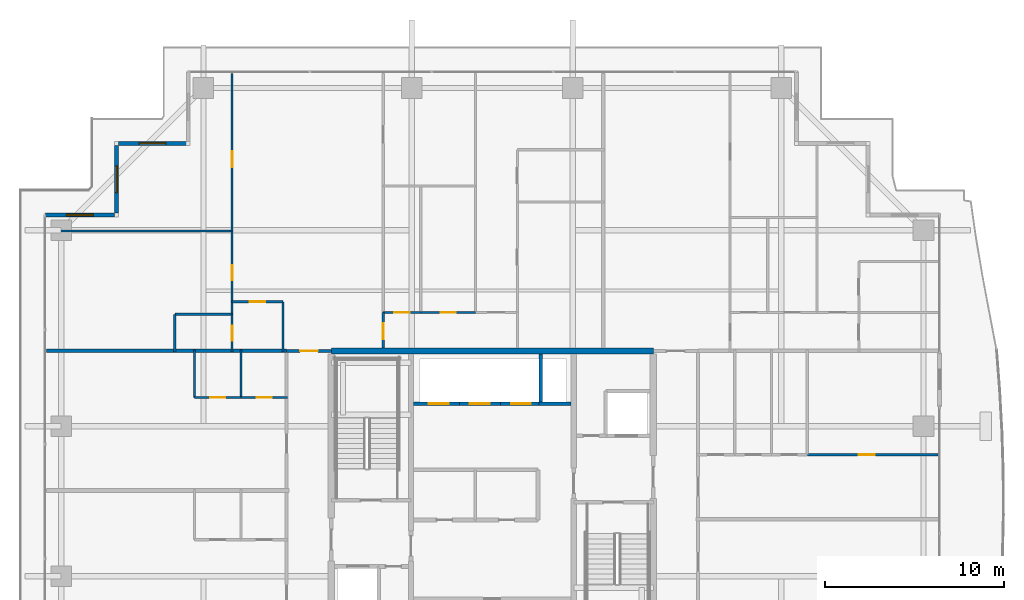
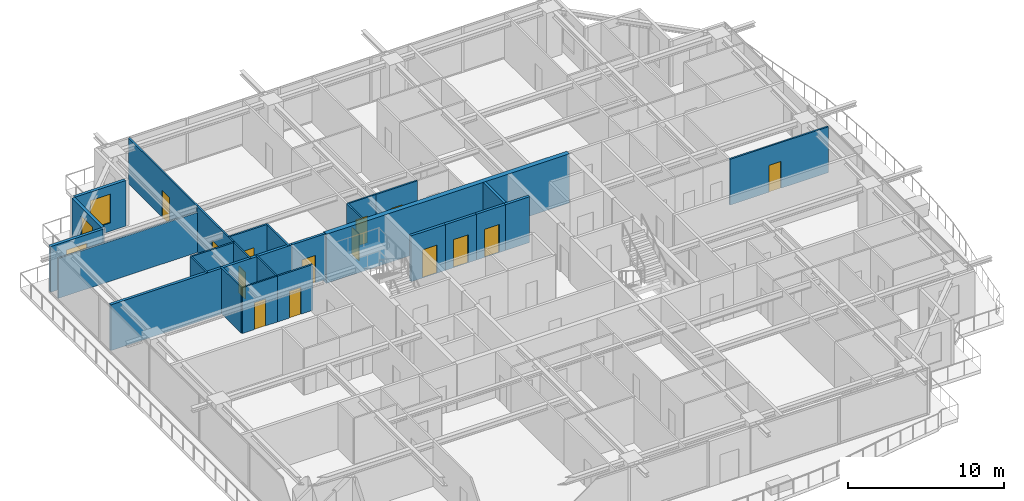
# One storey, part 29 of 38: 27 walls, 14 doors, 3 windows, 17 openings.
"""IFC4 building model written with IfcOpenShell, lengths in metres."""

from ifc_helpers import new_model, si_unit, direction, frame, frame_2d, origin, place, context, subcontext, project, spatial, rectangle, extrude, source, transform, mapped, material, layer, layer_set, type_object, element, fill, save


model = new_model("IFC4")

# Units and contexts
model_context = context("Model", 3, precision=1e-05, world=origin(), true_north=direction((0.0, 1.0)))
body_context = subcontext(model_context, "Body", "Model", "MODEL_VIEW")
ifc_project = project(units=[si_unit("LENGTHUNIT", "METRE"), si_unit("AREAUNIT", "SQUARE_METRE"), si_unit("VOLUMEUNIT", "CUBIC_METRE"), si_unit("PLANEANGLEUNIT", "RADIAN"), si_unit("MASSUNIT", "GRAM", prefix="KILO")], contexts=[model_context])

# Site, building, storey
site_placement = place(None, origin())
site = spatial("IfcSite", under=ifc_project, at=site_placement, CompositionType="ELEMENT")
building_placement = place(site_placement, origin())
building = spatial("IfcBuilding", under=site, at=building_placement, Name="Serunith Strait Residences", CompositionType="ELEMENT")
storey_placement = place(building_placement, frame((0.0, 0.0, 245.10009765625)))
storey = spatial("IfcBuildingStorey", under=building, at=storey_placement, Name="L61", CompositionType="ELEMENT", Elevation=245.10009765625)

# Wall, opening, window
ifc_material_1 = material(Name="Pale-Champagne Aluminium Insulated Panel", Category="aluminium")
ifc_layer_1 = layer(ifc_material_1, 0.219970703125, Name="Pale-Champagne Aluminium Insulated Panel")
ifc_layer_set_1 = layer_set([ifc_layer_1], Name="Pale-Champagne Aluminium Insulated Panel")
wall_type_1 = type_object("IfcWallType", Name="EW-ALUM-220", PredefinedType="ELEMENTEDWALL", material=ifc_layer_set_1)
wall_1_placement = place(storey_placement, frame((15.2900390625, 45.199951171875, 0.0), z_axis=(0.0, 0.0, 1.0), x_axis=(-1.0, 0.0, 0.0)))
wall_1 = element("IfcWall", 1, at=wall_1_placement, inside=storey, type_object=wall_type_1, Name="L61 Girih Serrated Corner Wall 13", PredefinedType="ELEMENTEDWALL", context=body_context, shape_type="SweptSolid", body=[
    extrude(rectangle(XDim=3.780029296875, YDim=0.219970703125, at=frame_2d((1.89013671875, 0.0))), origin(), (0.0, 0.0, 1.0), 3.574951171875),
])
opening_1_placement = place(wall_1_placement, frame((1.139892578125, 0.0, 0.64990234375)))
opening_1 = element("IfcOpeningElement", 2, at=opening_1_placement, cuts=wall_1, Name="Opening W-05", PredefinedType="OPENING", context=body_context, shape_type="SweptSolid", body=[
    extrude(rectangle(XDim=1.5, YDim=2.25, at=frame_2d((0.75, 1.125))), frame((0.0, 0.1201171875, 0.0), z_axis=(0.0, -1.0, 0.0), x_axis=(1.0, 0.0, 0.0)), (0.0, 0.0, 1.0), 0.239990234375),
])
ifc_material_2 = material(Name="Ceramic-Fritted Operable Aluminium Window Glass", Category="aluminium")
window_type = type_object("IfcWindowType", Name="WIN-C5", PartitioningType="DOUBLE_PANEL_VERTICAL", PredefinedType="WINDOW", material=ifc_material_2)
shared_shape_1 = source(origin(), body_context, "Body", "SweptSolid", [
    extrude(rectangle(XDim=1.5, YDim=2.25, at=frame_2d((0.75, 1.125))), frame((0.0, 0.030029296875, 0.0), z_axis=(0.0, -1.0, 0.0), x_axis=(1.0, 0.0, 0.0)), (0.0, 0.0, 1.0), 0.06005859375),
])
window_1_placement = place(opening_1_placement, origin())
window_1 = element("IfcWindow", 3, at=window_1_placement, inside=storey, type_object=window_type, Name="L61 Corner Operable Fritted Window 13", OverallHeight=2.25, OverallWidth=1.5, PartitioningType="SINGLE_PANEL", PredefinedType="WINDOW", context=body_context, shape_type="MappedRepresentation", body=[
    mapped(shared_shape_1, transform((0.0, 0.0, 0.0), scale=1.0)),
])
fill(opening_1, window_1)

wall_2_placement = place(storey_placement, frame((11.39990234375, 45.090087890625, 0.0), z_axis=(0.0, 0.0, 1.0), x_axis=(0.0, -1.0, 0.0)))
wall_2 = element("IfcWall", 4, at=wall_2_placement, inside=storey, type_object=wall_type_1, Name="L61 Girih Serrated Corner Wall 14", PredefinedType="ELEMENTEDWALL", context=body_context, shape_type="SweptSolid", body=[
    extrude(rectangle(XDim=3.780029296875, YDim=0.219970703125, at=frame_2d((1.89013671875, 0.0))), origin(), (0.0, 0.0, 1.0), 3.574951171875),
])
opening_2_placement = place(wall_2_placement, frame((1.139892578125, 0.0, 0.64990234375)))
opening_2 = element("IfcOpeningElement", 5, at=opening_2_placement, cuts=wall_2, Name="Opening W-05", PredefinedType="OPENING", context=body_context, shape_type="SweptSolid", body=[
    extrude(rectangle(XDim=1.5, YDim=2.25, at=frame_2d((0.75, 1.125))), frame((0.0, 0.1201171875, 0.0), z_axis=(0.0, -1.0, 0.0), x_axis=(1.0, 0.0, 0.0)), (0.0, 0.0, 1.0), 0.239990234375),
])
window_2_placement = place(opening_2_placement, origin())
window_2 = element("IfcWindow", 6, at=window_2_placement, inside=storey, type_object=window_type, Name="L61 Corner Operable Fritted Window 14", OverallHeight=2.25, OverallWidth=1.5, PartitioningType="SINGLE_PANEL", PredefinedType="WINDOW", context=body_context, shape_type="MappedRepresentation", body=[
    mapped(shared_shape_1, transform((0.0, 0.0, 0.0), scale=1.0)),
])
fill(opening_2, window_2)

wall_3_placement = place(storey_placement, frame((11.2900390625, 41.199951171875, 0.0), z_axis=(0.0, 0.0, 1.0), x_axis=(-1.0, 0.0, 0.0)))
wall_3 = element("IfcWall", 7, at=wall_3_placement, inside=storey, type_object=wall_type_1, Name="L61 Girih Serrated Corner Wall 15", PredefinedType="ELEMENTEDWALL", context=body_context, shape_type="SweptSolid", body=[
    extrude(rectangle(XDim=3.89013671875, YDim=0.219970703125, at=frame_2d((1.945068359375, 0.0))), origin(), (0.0, 0.0, 1.0), 3.574951171875),
])
opening_3_placement = place(wall_3_placement, frame((1.195068359375, 0.0, 0.64990234375)))
opening_3 = element("IfcOpeningElement", 8, at=opening_3_placement, cuts=wall_3, Name="Opening W-05", PredefinedType="OPENING", context=body_context, shape_type="SweptSolid", body=[
    extrude(rectangle(XDim=1.5, YDim=2.25, at=frame_2d((0.75, 1.125))), frame((0.0, 0.1201171875, 0.0), z_axis=(0.0, -1.0, 0.0), x_axis=(1.0, 0.0, 0.0)), (0.0, 0.0, 1.0), 0.239990234375),
])
window_3_placement = place(opening_3_placement, origin())
window_3 = element("IfcWindow", 9, at=window_3_placement, inside=storey, type_object=window_type, Name="L61 Corner Operable Fritted Window 15", OverallHeight=2.25, OverallWidth=1.5, PartitioningType="SINGLE_PANEL", PredefinedType="WINDOW", context=body_context, shape_type="MappedRepresentation", body=[
    mapped(shared_shape_1, transform((0.0, 0.0, 0.0), scale=1.0)),
])
fill(opening_3, window_3)

# Wall, opening, door
ifc_material_3 = material(Name="Fire-rated acoustic gypsum partition")
ifc_layer_2 = layer(ifc_material_3, 0.179931640625, Name="Fire-rated acoustic gypsum partition")
ifc_layer_set_2 = layer_set([ifc_layer_2], Name="Fire-rated acoustic gypsum partition")
wall_type_2 = type_object("IfcWallType", Name="IW-CORR-180", PredefinedType="PARTITIONING", material=ifc_layer_set_2)
wall_4_placement = place(storey_placement, frame((20.902099609375, 33.60009765625, 0.0), z_axis=(0.0, 0.0, 1.0), x_axis=(1.0, 0.0, 0.0)))
wall_4 = element("IfcWall", 10, at=wall_4_placement, inside=storey, type_object=wall_type_2, Name="L61 Partition Wall 027", PredefinedType="PARTITIONING", context=body_context, shape_type="SweptSolid", body=[
    extrude(rectangle(XDim=2.495849609375, YDim=0.179931640625, at=frame_2d((1.248046875, 0.0))), origin(), (0.0, 0.0, 1.0), 3.58984375),
])
opening_4_placement = place(wall_4_placement, frame((0.748046875, 0.0, 0.0)))
opening_4 = element("IfcOpeningElement", 11, at=opening_4_placement, cuts=wall_4, Name="Opening D-APT1000", PredefinedType="OPENING", context=body_context, shape_type="SweptSolid", body=[
    extrude(rectangle(XDim=1.0, YDim=2.14990234375, at=frame_2d((0.5, 1.074951171875))), frame((0.0, 0.10009765625, 0.0), z_axis=(0.0, -1.0, 0.0), x_axis=(1.0, 0.0, 0.0)), (0.0, 0.0, 1.0), 0.199951171875),
])
ifc_material_4 = material(Name="Solid timber engineered fire door", Category="wood")
door_type_1 = type_object("IfcDoorType", Name="ID-APT-1000", OperationType="NOTDEFINED", PredefinedType="DOOR", material=ifc_material_4)
shared_shape_2 = source(origin(), body_context, "Body", "SweptSolid", [
    extrude(rectangle(XDim=1.0, YDim=2.14990234375, at=frame_2d((0.5, 1.074951171875))), frame((0.0, 0.02490234375, 0.0), z_axis=(0.0, -1.0, 0.0), x_axis=(1.0, 0.0, 0.0)), (0.0, 0.0, 1.0), 0.050048828125),
])
door_1_placement = place(opening_4_placement, origin())
door_1 = element("IfcDoor", 12, at=door_1_placement, inside=storey, type_object=door_type_1, Name="L61 Unit 03 Entrance Door", OperationType="SINGLE_SWING_RIGHT", OverallHeight=2.14990234375, OverallWidth=1.0, PredefinedType="DOOR", context=body_context, shape_type="MappedRepresentation", body=[
    mapped(shared_shape_2, transform((0.0, 0.0, 0.0), scale=1.0)),
])
fill(opening_4, door_1)

ifc_material_5 = material(Name="Lightweight steel-stud gypsum partition", Category="steel")
ifc_layer_3 = layer(ifc_material_5, 0.1201171875, Name="Lightweight steel-stud gypsum partition")
ifc_layer_set_3 = layer_set([ifc_layer_3], Name="Lightweight steel-stud gypsum partition")
wall_type_3 = type_object("IfcWallType", Name="IW-PART-120", PredefinedType="PARTITIONING", material=ifc_layer_set_3)
wall_5_placement = place(storey_placement, frame((17.85009765625, 36.35009765625, 0.0), z_axis=(0.0, 0.0, 1.0), x_axis=(1.0, 0.0, 0.0)))
wall_5 = element("IfcWall", 13, at=wall_5_placement, inside=storey, type_object=wall_type_3, Name="L61 Partition Wall 067", PredefinedType="PARTITIONING", context=body_context, shape_type="SweptSolid", body=[
    extrude(rectangle(XDim=2.849853515625, YDim=0.1201171875, at=frame_2d((1.4248046875, 0.0))), origin(), (0.0, 0.0, 1.0), 3.58984375),
])
opening_5_placement = place(wall_5_placement, frame((1.0, 0.0, 0.0)))
opening_5 = element("IfcOpeningElement", 14, at=opening_5_placement, cuts=wall_5, Name="Opening D-RM850", PredefinedType="OPENING", context=body_context, shape_type="SweptSolid", body=[
    extrude(rectangle(XDim=0.85009765625, YDim=2.10009765625, at=frame_2d((0.425048828125, 1.050048828125))), frame((0.0, 0.070068359375, 0.0), z_axis=(0.0, -1.0, 0.0), x_axis=(1.0, 0.0, 0.0)), (0.0, 0.0, 1.0), 0.14013671875),
])
ifc_material_6 = material(Name="Engineered timber flush study and kitchen door", Category="wood")
door_type_2 = type_object("IfcDoorType", Name="ID-ROOM-850", OperationType="NOTDEFINED", PredefinedType="DOOR", material=ifc_material_6)
shared_shape_3 = source(origin(), body_context, "Body", "SweptSolid", [
    extrude(rectangle(XDim=0.85009765625, YDim=2.10009765625, at=frame_2d((0.425048828125, 1.050048828125))), frame((0.0, 0.02490234375, 0.0), z_axis=(0.0, -1.0, 0.0), x_axis=(1.0, 0.0, 0.0)), (0.0, 0.0, 1.0), 0.050048828125),
])
door_2_placement = place(opening_5_placement, origin())
door_2 = element("IfcDoor", 15, at=door_2_placement, inside=storey, type_object=door_type_2, Name="L61 Kitchen 6103 Door", OperationType="SINGLE_SWING_LEFT", OverallHeight=2.10009765625, OverallWidth=0.85009765625, PredefinedType="DOOR", context=body_context, shape_type="MappedRepresentation", body=[
    mapped(shared_shape_3, transform((0.0, 0.0, 0.0), scale=1.0)),
])
fill(opening_5, door_2)

# Wall
wall_6_placement = place(storey_placement, frame((20.699951171875, 36.35009765625, 0.0), z_axis=(0.0, 0.0, 1.0), x_axis=(0.0, -1.0, 0.0)))
element("IfcWall", 16, at=wall_6_placement, inside=storey, type_object=wall_type_3, Name="L61 Partition Wall 068", PredefinedType="PARTITIONING", context=body_context, shape_type="SweptSolid", body=[
    extrude(rectangle(XDim=2.81005859375, YDim=0.1201171875, at=frame_2d((1.405029296875, 0.0))), origin(), (0.0, 0.0, 1.0), 3.58984375),
])

# Wall, opening, door
wall_7_placement = place(storey_placement, frame((17.85009765625, 49.10498046875, 0.0), z_axis=(0.0, 0.0, 1.0), x_axis=(0.0, -1.0, 0.0)))
wall_7 = element("IfcWall", 17, at=wall_7_placement, inside=storey, type_object=wall_type_3, Name="L61 Partition Wall 069", PredefinedType="PARTITIONING", context=body_context, shape_type="SweptSolid", body=[
    extrude(rectangle(XDim=8.799072265625, YDim=0.1201171875, at=frame_2d((4.3994140625, 0.0))), origin(), (0.0, 0.0, 1.0), 3.58984375),
])
opening_6_placement = place(wall_7_placement, frame((4.343994140625, 0.0, 0.0)))
opening_6 = element("IfcOpeningElement", 18, at=opening_6_placement, cuts=wall_7, Name="Opening D-RM900", PredefinedType="OPENING", context=body_context, shape_type="SweptSolid", body=[
    extrude(rectangle(XDim=0.89990234375, YDim=2.10009765625, at=frame_2d((0.449951171875, 1.050048828125))), frame((0.0, 0.070068359375, 0.0), z_axis=(0.0, -1.0, 0.0), x_axis=(1.0, 0.0, 0.0)), (0.0, 0.0, 1.0), 0.14013671875),
])
ifc_material_7 = material(Name="Engineered timber flush bedroom door", Category="wood")
door_type_3 = type_object("IfcDoorType", Name="ID-ROOM-900", OperationType="NOTDEFINED", PredefinedType="DOOR", material=ifc_material_7)
shared_shape_4 = source(origin(), body_context, "Body", "SweptSolid", [
    extrude(rectangle(XDim=0.89990234375, YDim=2.10009765625, at=frame_2d((0.449951171875, 1.050048828125))), frame((0.0, 0.02490234375, 0.0), z_axis=(0.0, -1.0, 0.0), x_axis=(1.0, 0.0, 0.0)), (0.0, 0.0, 1.0), 0.050048828125),
])
door_3_placement = place(opening_6_placement, origin())
door_3 = element("IfcDoor", 19, at=door_3_placement, inside=storey, type_object=door_type_3, Name="L61 Master Bedroom 1 6103 Door", OperationType="SINGLE_SWING_RIGHT", OverallHeight=2.10009765625, OverallWidth=0.89990234375, PredefinedType="DOOR", context=body_context, shape_type="MappedRepresentation", body=[
    mapped(shared_shape_4, transform((0.0, 0.0, 0.0), scale=1.0)),
])
fill(opening_6, door_3)

# Walls
wall_8_placement = place(storey_placement, frame((7.4951171875, 40.305908203125, 0.0), z_axis=(0.0, 0.0, 1.0), x_axis=(1.0, 0.0, 0.0)))
element("IfcWall", 20, at=wall_8_placement, inside=storey, type_object=wall_type_3, Name="L61 Partition Wall 070", PredefinedType="PARTITIONING", context=body_context, shape_type="SweptSolid", body=[
    extrude(rectangle(XDim=10.35498046875, YDim=0.1201171875, at=frame_2d((5.177490234375, 0.0))), origin(), (0.0, 0.0, 1.0), 3.121826171875),
])
wall_9_placement = place(storey_placement, frame((14.64990234375, 35.64990234375, 0.0), z_axis=(0.0, 0.0, 1.0), x_axis=(1.0, 0.0, 0.0)))
element("IfcWall", 21, at=wall_9_placement, inside=storey, type_object=wall_type_3, Name="L61 Partition Wall 071", PredefinedType="PARTITIONING", context=body_context, shape_type="SweptSolid", body=[
    extrude(rectangle(XDim=3.2001953125, YDim=0.1201171875, at=frame_2d((1.60009765625, 0.0))), origin(), (0.0, 0.0, 1.0), 3.58984375),
])
wall_10_placement = place(storey_placement, frame((14.64990234375, 35.64990234375, 0.0), z_axis=(0.0, 0.0, 1.0), x_axis=(0.0, -1.0, 0.0)))
element("IfcWall", 22, at=wall_10_placement, inside=storey, type_object=wall_type_3, Name="L61 Partition Wall 072", PredefinedType="PARTITIONING", context=body_context, shape_type="SweptSolid", body=[
    extrude(rectangle(XDim=2.10986328125, YDim=0.1201171875, at=frame_2d((1.054931640625, 0.0))), origin(), (0.0, 0.0, 1.0), 3.58984375),
])

# Wall, opening, door
wall_11_placement = place(storey_placement, frame((17.85009765625, 40.303955078125, 0.0), z_axis=(0.0, 0.0, 1.0), x_axis=(0.0, -1.0, 0.0)))
wall_11 = element("IfcWall", 23, at=wall_11_placement, inside=storey, type_object=wall_type_3, Name="L61 Partition Wall 073", PredefinedType="PARTITIONING", context=body_context, shape_type="SweptSolid", body=[
    extrude(rectangle(XDim=4.654052734375, YDim=0.1201171875, at=frame_2d((2.3271484375, 0.0))), origin(), (0.0, 0.0, 1.0), 3.58984375),
])
opening_7_placement = place(wall_11_placement, frame((1.902099609375, 0.0, 0.0)))
opening_7 = element("IfcOpeningElement", 24, at=opening_7_placement, cuts=wall_11, Name="Opening D-RM850", PredefinedType="OPENING", context=body_context, shape_type="SweptSolid", body=[
    extrude(rectangle(XDim=0.85009765625, YDim=2.10009765625, at=frame_2d((0.425048828125, 1.050048828125))), frame((0.0, 0.070068359375, 0.0), z_axis=(0.0, -1.0, 0.0), x_axis=(1.0, 0.0, 0.0)), (0.0, 0.0, 1.0), 0.14013671875),
])
door_4_placement = place(opening_7_placement, origin())
door_4 = element("IfcDoor", 25, at=door_4_placement, inside=storey, type_object=door_type_2, Name="L61 Walk-in Wardrobe 6103 Door", OperationType="SINGLE_SWING_LEFT", OverallHeight=2.10009765625, OverallWidth=0.85009765625, PredefinedType="DOOR", context=body_context, shape_type="MappedRepresentation", body=[
    mapped(shared_shape_3, transform((0.0, 0.0, 0.0), scale=1.0)),
])
fill(opening_7, door_4)

wall_12_placement = place(storey_placement, frame((17.85009765625, 35.64794921875, 0.0), z_axis=(0.0, 0.0, 1.0), x_axis=(0.0, -1.0, 0.0)))
wall_12 = element("IfcWall", 26, at=wall_12_placement, inside=storey, type_object=wall_type_3, Name="L61 Partition Wall 074", PredefinedType="PARTITIONING", context=body_context, shape_type="SweptSolid", body=[
    extrude(rectangle(XDim=2.10791015625, YDim=0.1201171875, at=frame_2d((1.053955078125, 0.0))), origin(), (0.0, 0.0, 1.0), 3.58984375),
])
opening_8_placement = place(wall_12_placement, frame((0.62890625, 0.0, 0.0)))
opening_8 = element("IfcOpeningElement", 27, at=opening_8_placement, cuts=wall_12, Name="Opening D-BTH850", PredefinedType="OPENING", context=body_context, shape_type="SweptSolid", body=[
    extrude(rectangle(XDim=0.85009765625, YDim=2.10009765625, at=frame_2d((0.425048828125, 1.050048828125))), frame((0.0, 0.070068359375, 0.0), z_axis=(0.0, -1.0, 0.0), x_axis=(1.0, 0.0, 0.0)), (0.0, 0.0, 1.0), 0.14013671875),
])
ifc_material_8 = material(Name="Moisture-resistant timber bathroom door", Category="wood")
door_type_4 = type_object("IfcDoorType", Name="ID-BATH-850", OperationType="NOTDEFINED", PredefinedType="DOOR", material=ifc_material_8)
door_5_placement = place(opening_8_placement, origin())
door_5 = element("IfcDoor", 28, at=door_5_placement, inside=storey, type_object=door_type_4, Name="L61 Bathroom 6103 Door", OperationType="SINGLE_SWING_RIGHT", OverallHeight=2.10009765625, OverallWidth=0.85009765625, PredefinedType="DOOR", context=body_context, shape_type="MappedRepresentation", body=[
    mapped(shared_shape_3, transform((0.0, 0.0, 0.0), scale=1.0)),
])
fill(opening_8, door_5)

wall_13_placement = place(storey_placement, frame((26.300048828125, 35.75, 0.0), z_axis=(0.0, 0.0, 1.0), x_axis=(0.0, -1.0, 0.0)))
wall_13 = element("IfcWall", 29, at=wall_13_placement, inside=storey, type_object=wall_type_3, Name="L61 Partition Wall 075", PredefinedType="PARTITIONING", context=body_context, shape_type="SweptSolid", body=[
    extrude(rectangle(XDim=1.97509765625, YDim=0.1201171875, at=frame_2d((0.987548828125, 0.0))), origin(), (0.0, 0.0, 1.0), 3.58984375),
])
opening_9_placement = place(wall_13_placement, frame((0.60107421875, 0.0, 0.0)))
opening_9 = element("IfcOpeningElement", 30, at=opening_9_placement, cuts=wall_13, Name="Opening D-RM900", PredefinedType="OPENING", context=body_context, shape_type="SweptSolid", body=[
    extrude(rectangle(XDim=0.89990234375, YDim=2.10009765625, at=frame_2d((0.449951171875, 1.050048828125))), frame((0.0, 0.070068359375, 0.0), z_axis=(0.0, -1.0, 0.0), x_axis=(1.0, 0.0, 0.0)), (0.0, 0.0, 1.0), 0.14013671875),
])
door_6_placement = place(opening_9_placement, origin())
door_6 = element("IfcDoor", 31, at=door_6_placement, inside=storey, type_object=door_type_3, Name="L61 Hall E 6103 Door", OperationType="SINGLE_SWING_LEFT", OverallHeight=2.10009765625, OverallWidth=0.89990234375, PredefinedType="DOOR", context=body_context, shape_type="MappedRepresentation", body=[
    mapped(shared_shape_4, transform((0.0, 0.0, 0.0), scale=1.0)),
])
fill(opening_9, door_6)

wall_14_placement = place(storey_placement, frame((26.300048828125, 35.75, 0.0), z_axis=(0.0, 0.0, 1.0), x_axis=(1.0, 0.0, 0.0)))
wall_14 = element("IfcWall", 32, at=wall_14_placement, inside=storey, type_object=wall_type_3, Name="L61 Partition Wall 081", PredefinedType="PARTITIONING", context=body_context, shape_type="SweptSolid", body=[
    extrude(rectangle(XDim=2.099853515625, YDim=0.1201171875, at=frame_2d((1.0498046875, 0.0))), origin(), (0.0, 0.0, 1.0), 3.58984375),
])
opening_10_placement = place(wall_14_placement, frame((0.625, 0.0, 0.0)))
opening_10 = element("IfcOpeningElement", 33, at=opening_10_placement, cuts=wall_14, Name="Opening D-RM850", PredefinedType="OPENING", context=body_context, shape_type="SweptSolid", body=[
    extrude(rectangle(XDim=0.85009765625, YDim=2.10009765625, at=frame_2d((0.425048828125, 1.050048828125))), frame((0.0, 0.070068359375, 0.0), z_axis=(0.0, -1.0, 0.0), x_axis=(1.0, 0.0, 0.0)), (0.0, 0.0, 1.0), 0.14013671875),
])
door_7_placement = place(opening_10_placement, origin())
door_7 = element("IfcDoor", 34, at=door_7_placement, inside=storey, type_object=door_type_2, Name="L61 Study 6103 Door", OperationType="SINGLE_SWING_LEFT", OverallHeight=2.10009765625, OverallWidth=0.85009765625, PredefinedType="DOOR", context=body_context, shape_type="MappedRepresentation", body=[
    mapped(shared_shape_3, transform((0.0, 0.0, 0.0), scale=1.0)),
])
fill(opening_10, door_7)

wall_15_placement = place(storey_placement, frame((28.402099609375, 35.75, 0.0), z_axis=(0.0, 0.0, 1.0), x_axis=(1.0, 0.0, 0.0)))
wall_15 = element("IfcWall", 35, at=wall_15_placement, inside=storey, type_object=wall_type_3, Name="L61 Partition Wall 082", PredefinedType="PARTITIONING", context=body_context, shape_type="SweptSolid", body=[
    extrude(rectangle(XDim=3.0478515625, YDim=0.1201171875, at=frame_2d((1.52392578125, 0.0))), origin(), (0.0, 0.0, 1.0), 3.58984375),
])
opening_11_placement = place(wall_15_placement, frame((1.09912109375, 0.0, 0.0)))
opening_11 = element("IfcOpeningElement", 36, at=opening_11_placement, cuts=wall_15, Name="Opening D-RM850", PredefinedType="OPENING", context=body_context, shape_type="SweptSolid", body=[
    extrude(rectangle(XDim=0.85009765625, YDim=2.10009765625, at=frame_2d((0.425048828125, 1.050048828125))), frame((0.0, 0.070068359375, 0.0), z_axis=(0.0, -1.0, 0.0), x_axis=(1.0, 0.0, 0.0)), (0.0, 0.0, 1.0), 0.14013671875),
])
door_8_placement = place(opening_11_placement, origin())
door_8 = element("IfcDoor", 37, at=door_8_placement, inside=storey, type_object=door_type_2, Name="L61 Formal Dining Room 6103 Door", OperationType="SINGLE_SWING_RIGHT", OverallHeight=2.10009765625, OverallWidth=0.85009765625, PredefinedType="DOOR", context=body_context, shape_type="MappedRepresentation", body=[
    mapped(shared_shape_3, transform((0.0, 0.0, 0.0), scale=1.0)),
])
fill(opening_11, door_8)

wall_16_placement = place(storey_placement, frame((15.75, 31.0, 0.0), z_axis=(0.0, 0.0, 1.0), x_axis=(1.0, 0.0, 0.0)))
wall_16 = element("IfcWall", 38, at=wall_16_placement, inside=storey, type_object=wall_type_3, Name="L61 Partition Wall 106", PredefinedType="PARTITIONING", context=body_context, shape_type="SweptSolid", body=[
    extrude(rectangle(XDim=2.60009765625, YDim=0.1201171875, at=frame_2d((1.300048828125, 0.0))), origin(), (0.0, 0.0, 1.0), 3.58984375),
])
opening_12_placement = place(wall_16_placement, frame((0.875, 0.0, 0.0)))
opening_12 = element("IfcOpeningElement", 39, at=opening_12_placement, cuts=wall_16, Name="Opening D-RM850", PredefinedType="OPENING", context=body_context, shape_type="SweptSolid", body=[
    extrude(rectangle(XDim=0.85009765625, YDim=2.10009765625, at=frame_2d((0.425048828125, 1.050048828125))), frame((0.0, 0.070068359375, 0.0), z_axis=(0.0, -1.0, 0.0), x_axis=(1.0, 0.0, 0.0)), (0.0, 0.0, 1.0), 0.14013671875),
])
door_9_placement = place(opening_12_placement, origin())
door_9 = element("IfcDoor", 40, at=door_9_placement, inside=storey, type_object=door_type_2, Name="L61 Kitchen 6106 Door", OperationType="SINGLE_SWING_LEFT", OverallHeight=2.10009765625, OverallWidth=0.85009765625, PredefinedType="DOOR", context=body_context, shape_type="MappedRepresentation", body=[
    mapped(shared_shape_3, transform((0.0, 0.0, 0.0), scale=1.0)),
])
fill(opening_12, door_9)

wall_17_placement = place(storey_placement, frame((18.35205078125, 31.0, 0.0), z_axis=(0.0, 0.0, 1.0), x_axis=(1.0, 0.0, 0.0)))
wall_17 = element("IfcWall", 41, at=wall_17_placement, inside=storey, type_object=wall_type_3, Name="L61 Partition Wall 107", PredefinedType="PARTITIONING", context=body_context, shape_type="SweptSolid", body=[
    extrude(rectangle(XDim=2.60791015625, YDim=0.1201171875, at=frame_2d((1.303955078125, 0.0))), origin(), (0.0, 0.0, 1.0), 3.58984375),
])
opening_13_placement = place(wall_17_placement, frame((0.87890625, 0.0, 0.0)))
opening_13 = element("IfcOpeningElement", 42, at=opening_13_placement, cuts=wall_17, Name="Opening D-BTH850", PredefinedType="OPENING", context=body_context, shape_type="SweptSolid", body=[
    extrude(rectangle(XDim=0.85009765625, YDim=2.10009765625, at=frame_2d((0.425048828125, 1.050048828125))), frame((0.0, 0.070068359375, 0.0), z_axis=(0.0, -1.0, 0.0), x_axis=(1.0, 0.0, 0.0)), (0.0, 0.0, 1.0), 0.14013671875),
])
door_10_placement = place(opening_13_placement, origin())
door_10 = element("IfcDoor", 43, at=door_10_placement, inside=storey, type_object=door_type_4, Name="L61 Bathroom 6106 Door", OperationType="SINGLE_SWING_RIGHT", OverallHeight=2.10009765625, OverallWidth=0.85009765625, PredefinedType="DOOR", context=body_context, shape_type="MappedRepresentation", body=[
    mapped(shared_shape_3, transform((0.0, 0.0, 0.0), scale=1.0)),
])
fill(opening_13, door_10)

# Walls
for number, where, z_axis, x_axis, name in (
    (44, (18.35009765625, 31.0, 0.0), (0.0, 0.0, 1.0), (0.0, 1.0, 0.0), "L61 Partition Wall 108"),
    (45, (15.75, 31.0, 0.0), (0.0, 0.0, 1.0), (0.0, 1.0, 0.0), "L61 Partition Wall 109"),
):
    element("IfcWall", number, at=place(storey_placement, frame(where, z_axis=z_axis, x_axis=x_axis)), inside=storey, type_object=wall_type_3, Name=name, PredefinedType="PARTITIONING", context=body_context, shape_type="SweptSolid", body=[
        extrude(rectangle(XDim=2.659912109375, YDim=0.1201171875, at=frame_2d((1.330078125, 0.0))), origin(), (0.0, 0.0, 1.0), 3.58984375),
    ])

# Wall, opening, door
wall_18_placement = place(storey_placement, frame((57.304931640625, 27.800048828125, 0.0), z_axis=(0.0, 0.0, 1.0), x_axis=(-1.0, 0.0, 0.0)))
wall_18 = element("IfcWall", 46, at=wall_18_placement, inside=storey, type_object=wall_type_3, Name="L61 Partition Wall 114", PredefinedType="PARTITIONING", context=body_context, shape_type="SweptSolid", body=[
    extrude(rectangle(XDim=7.302001953125, YDim=0.1201171875, at=frame_2d((3.65087890625, 0.0))), origin(), (0.0, 0.0, 1.0), 3.58984375),
])
opening_14_placement = place(wall_18_placement, frame((3.52099609375, 0.0, 0.0)))
opening_14 = element("IfcOpeningElement", 47, at=opening_14_placement, cuts=wall_18, Name="Opening D-RM900", PredefinedType="OPENING", context=body_context, shape_type="SweptSolid", body=[
    extrude(rectangle(XDim=0.89990234375, YDim=2.10009765625, at=frame_2d((0.449951171875, 1.050048828125))), frame((0.0, 0.070068359375, 0.0), z_axis=(0.0, -1.0, 0.0), x_axis=(1.0, 0.0, 0.0)), (0.0, 0.0, 1.0), 0.14013671875),
])
door_11_placement = place(opening_14_placement, origin())
door_11 = element("IfcDoor", 48, at=door_11_placement, inside=storey, type_object=door_type_3, Name="L61 Master Bedroom 1 6108 Door", OperationType="SINGLE_SWING_LEFT", OverallHeight=2.10009765625, OverallWidth=0.89990234375, PredefinedType="DOOR", context=body_context, shape_type="MappedRepresentation", body=[
    mapped(shared_shape_4, transform((0.0, 0.0, 0.0), scale=1.0)),
])
fill(opening_14, door_11)

# Wall
ifc_material_9 = material(Name="Twin-stud acoustic gypsum board partition")
ifc_layer_4 = layer(ifc_material_9, 0.199951171875, Name="Twin-stud acoustic gypsum board partition")
ifc_layer_set_4 = layer_set([ifc_layer_4], Name="Twin-stud acoustic gypsum board partition")
wall_type_4 = type_object("IfcWallType", Name="IW-PARTY-200", PredefinedType="PARTITIONING", material=ifc_layer_set_4)
wall_19_placement = place(storey_placement, frame((7.48193359375, 33.60009765625, 0.0), z_axis=(0.0, 0.0, 1.0), x_axis=(1.0, 0.0, 0.0)))
element("IfcWall", 49, at=wall_19_placement, inside=storey, type_object=wall_type_4, Name="L61 Partition Wall 024", PredefinedType="PARTITIONING", context=body_context, shape_type="SweptSolid", body=[
    extrude(rectangle(XDim=13.41796875, YDim=0.199951171875, at=frame_2d((6.708984375, 0.0))), origin(), (0.0, 0.0, 1.0), 3.58984375),
])

# Wall, opening, door
ifc_material_10 = material(Name="Autoclaved aerated concrete blockwork", Category="masonry")
ifc_layer_5 = layer(ifc_material_10, 0.199951171875, Name="Autoclaved aerated concrete blockwork")
ifc_layer_set_5 = layer_set([ifc_layer_5], Name="Autoclaved aerated concrete blockwork")
wall_type_5 = type_object("IfcWallType", Name="IW-SHAFT-200", PredefinedType="STANDARD", material=ifc_layer_set_5)
wall_20_placement = place(storey_placement, frame((28.0, 30.64990234375, 0.0), z_axis=(0.0, 0.0, 1.0), x_axis=(1.0, 0.0, 0.0)))
wall_20 = element("IfcWall", 50, at=wall_20_placement, inside=storey, type_object=wall_type_5, Name="L61 PL-7 South Shaft Wall", PredefinedType="STANDARD", context=body_context, shape_type="SweptSolid", body=[
    extrude(rectangle(XDim=2.550048828125, YDim=0.199951171875, at=frame_2d((1.27490234375, 0.0))), origin(), (0.0, 0.0, 1.0), 3.58984375),
])
opening_15_placement = place(wall_20_placement, frame((0.85009765625, 0.0, 0.0)))
opening_15 = element("IfcOpeningElement", 51, at=opening_15_placement, cuts=wall_20, Name="Opening LD-1100", PredefinedType="OPENING", context=body_context, shape_type="SweptSolid", body=[
    extrude(rectangle(XDim=1.10009765625, YDim=2.199951171875, at=frame_2d((0.550048828125, 1.10009765625))), frame((0.0, 0.10986328125, 0.0), z_axis=(0.0, -1.0, 0.0), x_axis=(1.0, 0.0, 0.0)), (0.0, 0.0, 1.0), 0.219970703125),
])
ifc_material_11 = material(Name="Pale-champagne stainless landing door")
door_type_5 = type_object("IfcDoorType", Name="LD-LIFT-1100", OperationType="DOUBLE_DOOR_SLIDING", PredefinedType="DOOR", material=ifc_material_11)
shared_shape_5 = source(origin(), body_context, "Body", "SweptSolid", [
    extrude(rectangle(XDim=1.10009765625, YDim=2.199951171875, at=frame_2d((0.550048828125, 1.10009765625))), frame((0.0, 0.02490234375, 0.0), z_axis=(0.0, -1.0, 0.0), x_axis=(1.0, 0.0, 0.0)), (0.0, 0.0, 1.0), 0.050048828125),
])
door_12_placement = place(opening_15_placement, origin())
door_12 = element("IfcDoor", 52, at=door_12_placement, inside=storey, type_object=door_type_5, Name="L61 PL-7 Landing Door", OperationType="DOUBLE_DOOR_SLIDING", OverallHeight=2.199951171875, OverallWidth=1.10009765625, PredefinedType="DOOR", context=body_context, shape_type="MappedRepresentation", body=[
    mapped(shared_shape_5, transform((0.0, 0.0, 0.0), scale=1.0)),
])
fill(opening_15, door_12)

wall_21_placement = place(storey_placement, frame((30.550048828125, 30.64990234375, 0.0), z_axis=(0.0, 0.0, 1.0), x_axis=(1.0, 0.0, 0.0)))
wall_21 = element("IfcWall", 53, at=wall_21_placement, inside=storey, type_object=wall_type_5, Name="L61 PL-8 South Shaft Wall", PredefinedType="STANDARD", context=body_context, shape_type="SweptSolid", body=[
    extrude(rectangle(XDim=2.300048828125, YDim=0.199951171875, at=frame_2d((1.14990234375, 0.0))), origin(), (0.0, 0.0, 1.0), 3.58984375),
])
opening_16_placement = place(wall_21_placement, frame((0.60009765625, 0.0, 0.0)))
opening_16 = element("IfcOpeningElement", 54, at=opening_16_placement, cuts=wall_21, Name="Opening LD-1100", PredefinedType="OPENING", context=body_context, shape_type="SweptSolid", body=[
    extrude(rectangle(XDim=1.10009765625, YDim=2.199951171875, at=frame_2d((0.550048828125, 1.10009765625))), frame((0.0, 0.10986328125, 0.0), z_axis=(0.0, -1.0, 0.0), x_axis=(1.0, 0.0, 0.0)), (0.0, 0.0, 1.0), 0.219970703125),
])
door_13_placement = place(opening_16_placement, origin())
door_13 = element("IfcDoor", 55, at=door_13_placement, inside=storey, type_object=door_type_5, Name="L61 PL-8 Landing Door", OperationType="DOUBLE_DOOR_SLIDING", OverallHeight=2.199951171875, OverallWidth=1.10009765625, PredefinedType="DOOR", context=body_context, shape_type="MappedRepresentation", body=[
    mapped(shared_shape_5, transform((0.0, 0.0, 0.0), scale=1.0)),
])
fill(opening_16, door_13)

wall_22_placement = place(storey_placement, frame((32.85009765625, 30.64990234375, 0.0), z_axis=(0.0, 0.0, 1.0), x_axis=(1.0, 0.0, 0.0)))
wall_22 = element("IfcWall", 56, at=wall_22_placement, inside=storey, type_object=wall_type_5, Name="L61 PL-9 South Shaft Wall", PredefinedType="STANDARD", context=body_context, shape_type="SweptSolid", body=[
    extrude(rectangle(XDim=2.14990234375, YDim=0.199951171875, at=frame_2d((1.074951171875, 0.0))), origin(), (0.0, 0.0, 1.0), 3.58984375),
])
opening_17_placement = place(wall_22_placement, frame((0.60009765625, 0.0, 0.0)))
opening_17 = element("IfcOpeningElement", 57, at=opening_17_placement, cuts=wall_22, Name="Opening LD-1100", PredefinedType="OPENING", context=body_context, shape_type="SweptSolid", body=[
    extrude(rectangle(XDim=1.10009765625, YDim=2.199951171875, at=frame_2d((0.550048828125, 1.10009765625))), frame((0.0, 0.10986328125, 0.0), z_axis=(0.0, -1.0, 0.0), x_axis=(1.0, 0.0, 0.0)), (0.0, 0.0, 1.0), 0.219970703125),
])
door_14_placement = place(opening_17_placement, origin())
door_14 = element("IfcDoor", 58, at=door_14_placement, inside=storey, type_object=door_type_5, Name="L61 PL-9 Landing Door", OperationType="DOUBLE_DOOR_SLIDING", OverallHeight=2.199951171875, OverallWidth=1.10009765625, PredefinedType="DOOR", context=body_context, shape_type="MappedRepresentation", body=[
    mapped(shared_shape_5, transform((0.0, 0.0, 0.0), scale=1.0)),
])
fill(opening_17, door_14)

# Walls
wall_23_placement = place(storey_placement, frame((35.0, 30.64990234375, 0.0), z_axis=(0.0, 0.0, 1.0), x_axis=(1.0, 0.0, 0.0)))
element("IfcWall", 59, at=wall_23_placement, inside=storey, type_object=wall_type_5, Name="L61 SL-1 South Shaft Wall", PredefinedType="STANDARD", context=body_context, shape_type="SweptSolid", body=[
    extrude(rectangle(XDim=1.800048828125, YDim=0.199951171875, at=frame_2d((0.89990234375, 0.0))), origin(), (0.0, 0.0, 1.0), 3.58984375),
])
wall_24_placement = place(storey_placement, frame((35.10009765625, 30.75, 0.0), z_axis=(0.0, 0.0, 1.0), x_axis=(0.0, 1.0, 0.0)))
element("IfcWall", 60, at=wall_24_placement, inside=storey, type_object=wall_type_5, Name="L61 SL-1 West Shaft Wall", PredefinedType="STANDARD", context=body_context, shape_type="SweptSolid", body=[
    extrude(rectangle(XDim=2.675048828125, YDim=0.199951171875, at=frame_2d((1.33740234375, 0.0))), origin(), (0.0, 0.0, 1.0), 3.58984375),
])
ifc_material_12 = material(Name="Concrete C60/75", Category="concrete")
ifc_layer_6 = layer(ifc_material_12, 0.35009765625, Name="Concrete C60/75")
ifc_layer_set_6 = layer_set([ifc_layer_6], Name="Concrete C60/75")
wall_type_6 = type_object("IfcWallType", Name="SW-350-C60", PredefinedType="SHEAR", material=ifc_layer_set_6)
wall_25_placement = place(storey_placement, frame((41.39990234375, 33.60009765625, -0.260009765625), z_axis=(0.0, 0.0, 1.0), x_axis=(-1.0, 0.0, 0.0)))
element("IfcWall", 61, at=wall_25_placement, inside=storey, type_object=wall_type_6, Name="L61 Core North Shear Wall", PredefinedType="SHEAR", context=body_context, shape_type="SweptSolid", body=[
    extrude(rectangle(XDim=18.0, YDim=0.35009765625, at=frame_2d((9.0, 0.0))), origin(), (0.0, 0.0, 1.0), 3.847900390625),
])

save(model, "model.ifc")
